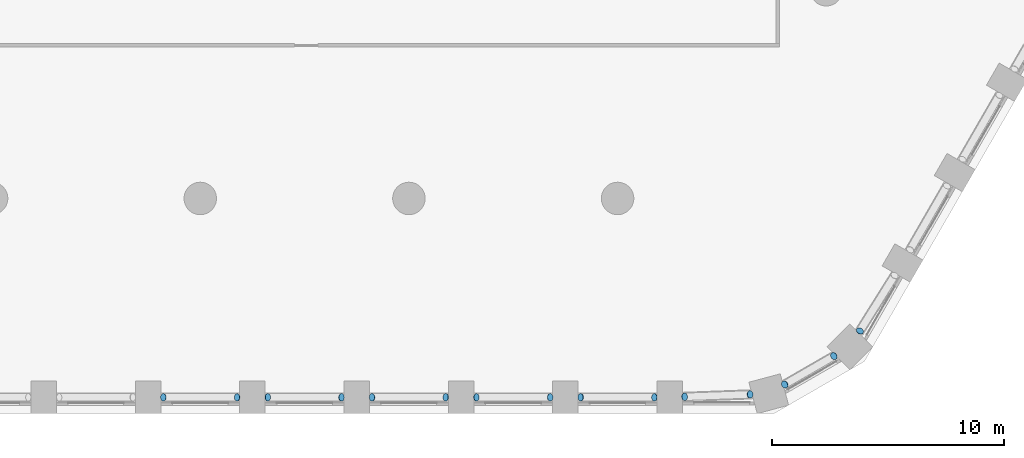
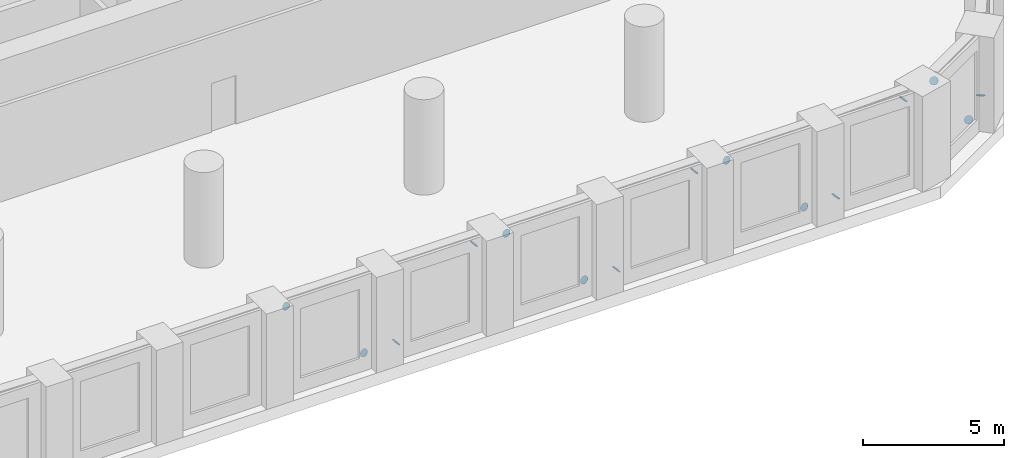
# One storey, part 12 of 18: 15 discrete accessories.
"""IFC4 building model written with IfcOpenShell, lengths in metres."""

from ifc_helpers import new_model, si_unit, direction, frame, origin, origin_2d, place, context, subcontext, project, spatial, circle, extrude, material, material_profile, profile_set, type_object, element, save


model = new_model("IFC4")

# Units and contexts
model_context = context("Model", 3, precision=1e-05, world=origin(), true_north=direction((0.0, 1.0)))
body_context = subcontext(model_context, "Body", "Model", "MODEL_VIEW")
ifc_project = project(units=[si_unit("LENGTHUNIT", "METRE"), si_unit("AREAUNIT", "SQUARE_METRE"), si_unit("VOLUMEUNIT", "CUBIC_METRE"), si_unit("PLANEANGLEUNIT", "RADIAN"), si_unit("MASSUNIT", "GRAM", prefix="KILO")], contexts=[model_context])

# Site, building, storey
site_placement = place(None, origin())
site = spatial("IfcSite", under=ifc_project, at=site_placement, CompositionType="ELEMENT")
building_placement = place(site_placement, origin())
building = spatial("IfcBuilding", under=site, at=building_placement, Name="Dhurran Vertical Campus", CompositionType="ELEMENT")
storey_placement = place(building_placement, frame((0.0, 0.0, 76.800048828125)))
storey = spatial("IfcBuildingStorey", under=building, at=storey_placement, Name="L18 Plant", CompositionType="ELEMENT", Elevation=76.800048828125)

# Discrete accessories
ifc_material = material(Name="Steel S355J2", Category="steel")
ifc_material_profile = material_profile(ifc_material, circle(Radius=0.161865234375, at=origin_2d()), Name="Tube end cap 324 x 20")
ifc_profile_set = profile_set([ifc_material_profile], Name="Steel S355J2")
discrete_accessory_type = type_object("IfcDiscreteAccessoryType", Name="Tube end cap 324 x 20", PredefinedType="USERDEFINED", material=ifc_profile_set)
discrete_accessory_1_placement = place(storey_placement, frame((-2.9169921875, -31.079833984375, 0.502197265625), z_axis=(0.713228571152, 0.0, -0.700931526822), x_axis=(0.0, 1.0, 0.0)))
element("IfcDiscreteAccessory", 1, at=discrete_accessory_1_placement, inside=storey, type_object=discrete_accessory_type, Name="EC1 belt L18 d03 capA", ObjectType="END CAP", PredefinedType="USERDEFINED", context=body_context, shape_type="SweptSolid", body=[
    extrude(circle(Radius=0.161865234375, at=origin_2d()), origin(), (0.0, 0.0, 1.0), 0.019775390625),
])
discrete_accessory_2_placement = place(storey_placement, frame((-6.0830078125, -31.079833984375, 3.62255859375), z_axis=(-0.707106781187, 0.0, 0.707106781187), x_axis=(0.0, -1.0, 0.0)))
element("IfcDiscreteAccessory", 2, at=discrete_accessory_2_placement, inside=storey, type_object=discrete_accessory_type, Name="EC1 belt L18 d03 capB", ObjectType="END CAP", PredefinedType="USERDEFINED", context=body_context, shape_type="SweptSolid", body=[
    extrude(circle(Radius=0.161865234375, at=origin_2d()), origin(), (0.0, 0.0, 1.0), 0.02001953125),
])
discrete_accessory_3_placement = place(storey_placement, frame((-1.5830078125, -31.079833984375, 0.502197265625), z_axis=(-0.713228571152, 0.0, -0.700931526822), x_axis=(0.0, -1.0, 0.0)))
element("IfcDiscreteAccessory", 3, at=discrete_accessory_3_placement, inside=storey, type_object=discrete_accessory_type, Name="EC1 belt L18 d04 capA", ObjectType="END CAP", PredefinedType="USERDEFINED", context=body_context, shape_type="SweptSolid", body=[
    extrude(circle(Radius=0.161865234375, at=origin_2d()), origin(), (0.0, 0.0, 1.0), 0.019775390625),
])
discrete_accessory_4_placement = place(storey_placement, frame((1.5830078125, -31.079833984375, 3.62255859375), z_axis=(0.707106781187, 0.0, 0.707106781187), x_axis=(0.0, 1.0, 0.0)))
element("IfcDiscreteAccessory", 4, at=discrete_accessory_4_placement, inside=storey, type_object=discrete_accessory_type, Name="EC1 belt L18 d04 capB", ObjectType="END CAP", PredefinedType="USERDEFINED", context=body_context, shape_type="SweptSolid", body=[
    extrude(circle(Radius=0.161865234375, at=origin_2d()), origin(), (0.0, 0.0, 1.0), 0.02001953125),
])
discrete_accessory_5_placement = place(storey_placement, frame((6.0830078125, -31.079833984375, 0.502197265625), z_axis=(0.713228571152, 0.0, -0.700931526822), x_axis=(0.0, 1.0, 0.0)))
element("IfcDiscreteAccessory", 5, at=discrete_accessory_5_placement, inside=storey, type_object=discrete_accessory_type, Name="EC1 belt L18 d05 capA", ObjectType="END CAP", PredefinedType="USERDEFINED", context=body_context, shape_type="SweptSolid", body=[
    extrude(circle(Radius=0.161865234375, at=origin_2d()), origin(), (0.0, 0.0, 1.0), 0.019775390625),
])
discrete_accessory_6_placement = place(storey_placement, frame((2.9169921875, -31.079833984375, 3.62255859375), z_axis=(-0.707106781187, 0.0, 0.707106781187), x_axis=(0.0, -1.0, 0.0)))
element("IfcDiscreteAccessory", 6, at=discrete_accessory_6_placement, inside=storey, type_object=discrete_accessory_type, Name="EC1 belt L18 d05 capB", ObjectType="END CAP", PredefinedType="USERDEFINED", context=body_context, shape_type="SweptSolid", body=[
    extrude(circle(Radius=0.161865234375, at=origin_2d()), origin(), (0.0, 0.0, 1.0), 0.02001953125),
])
discrete_accessory_7_placement = place(storey_placement, frame((7.4169921875, -31.079833984375, 0.502197265625), z_axis=(-0.713228571152, 0.0, -0.700931526822), x_axis=(0.0, -1.0, 0.0)))
element("IfcDiscreteAccessory", 7, at=discrete_accessory_7_placement, inside=storey, type_object=discrete_accessory_type, Name="EC1 belt L18 d06 capA", ObjectType="END CAP", PredefinedType="USERDEFINED", context=body_context, shape_type="SweptSolid", body=[
    extrude(circle(Radius=0.161865234375, at=origin_2d()), origin(), (0.0, 0.0, 1.0), 0.019775390625),
])
discrete_accessory_8_placement = place(storey_placement, frame((10.5830078125, -31.079833984375, 3.62255859375), z_axis=(0.707106781187, 0.0, 0.707106781187), x_axis=(0.0, 1.0, 0.0)))
element("IfcDiscreteAccessory", 8, at=discrete_accessory_8_placement, inside=storey, type_object=discrete_accessory_type, Name="EC1 belt L18 d06 capB", ObjectType="END CAP", PredefinedType="USERDEFINED", context=body_context, shape_type="SweptSolid", body=[
    extrude(circle(Radius=0.161865234375, at=origin_2d()), origin(), (0.0, 0.0, 1.0), 0.02001953125),
])
discrete_accessory_9_placement = place(storey_placement, frame((15.0830078125, -31.079833984375, 0.502197265625), z_axis=(0.713228571152, 0.0, -0.700931526822), x_axis=(0.0, 1.0, 0.0)))
element("IfcDiscreteAccessory", 9, at=discrete_accessory_9_placement, inside=storey, type_object=discrete_accessory_type, Name="EC1 belt L18 d07 capA", ObjectType="END CAP", PredefinedType="USERDEFINED", context=body_context, shape_type="SweptSolid", body=[
    extrude(circle(Radius=0.161865234375, at=origin_2d()), origin(), (0.0, 0.0, 1.0), 0.019775390625),
])
for number, where, z_axis, x_axis, name in (
    (10, (11.9169921875, -31.079833984375, 3.62255859375), (-0.707106781187, 0.0, 0.707106781187), (0.0, -1.0, 0.0), "EC1 belt L18 d07 capB"),
    (11, (16.39697265625, -31.055908203125, 0.4951171875), (-0.669438681395, -0.024343224778, -0.742468355729), (0.036339618107, -0.999339497946, 0.0), "EC1 belt L18 d08 capA"),
    (12, (19.205810546875, -30.952392578125, 3.6298828125), (0.669438681395, 0.024343224778, 0.742468355729), (-0.036339618107, 0.999339497946, 0.0), "EC1 belt L18 d08 capB"),
    (13, (22.82568359375, -29.302978515625, 0.486083984375), (0.523379332727, 0.316461922114, -0.791154805285), (-0.517419338909, 0.855731983581, 0.0), "EC1 belt L18 d09 capA"),
    (14, (20.714111328125, -30.521728515625, 3.638916015625), (-0.523379332727, -0.316461922114, 0.791154805285), (0.517419338909, -0.855731983581, 0.0), "EC1 belt L18 d09 capB"),
    (15, (23.95263671875, -28.2119140625, 0.4951171875), (-0.35487449747, -0.562904375298, -0.746460149851), (0.845925602596, -0.533300923376, 0.0), "EC1 belt L18 d10 capA"),
):
    element("IfcDiscreteAccessory", number, at=place(storey_placement, frame(where, z_axis=z_axis, x_axis=x_axis)), inside=storey, type_object=discrete_accessory_type, Name=name, ObjectType="END CAP", PredefinedType="USERDEFINED", context=body_context, shape_type="SweptSolid", body=[
        extrude(circle(Radius=0.161865234375, at=origin_2d()), origin(), (0.0, 0.0, 1.0), 0.02001953125),
    ])

save(model, "model.ifc")
